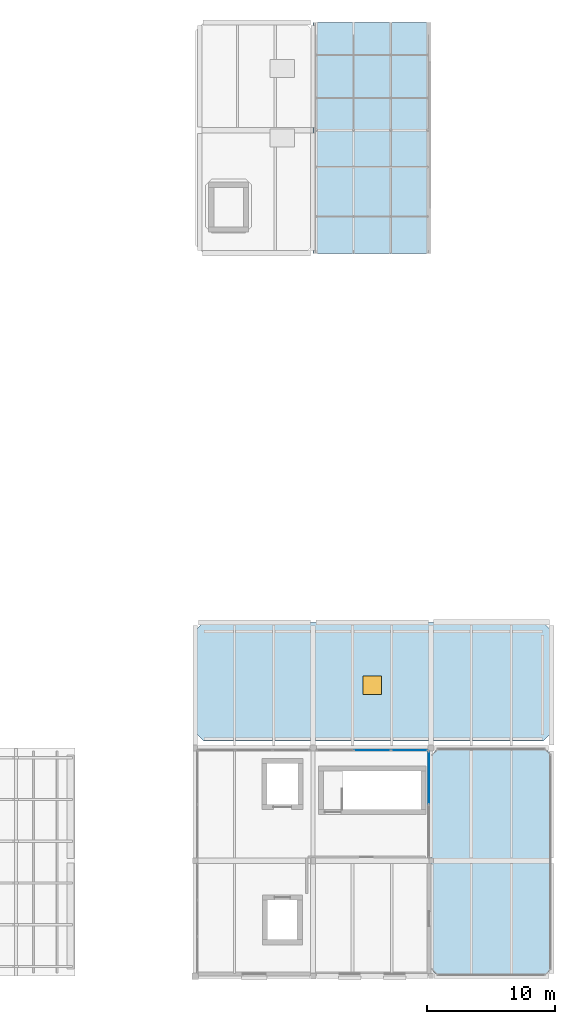
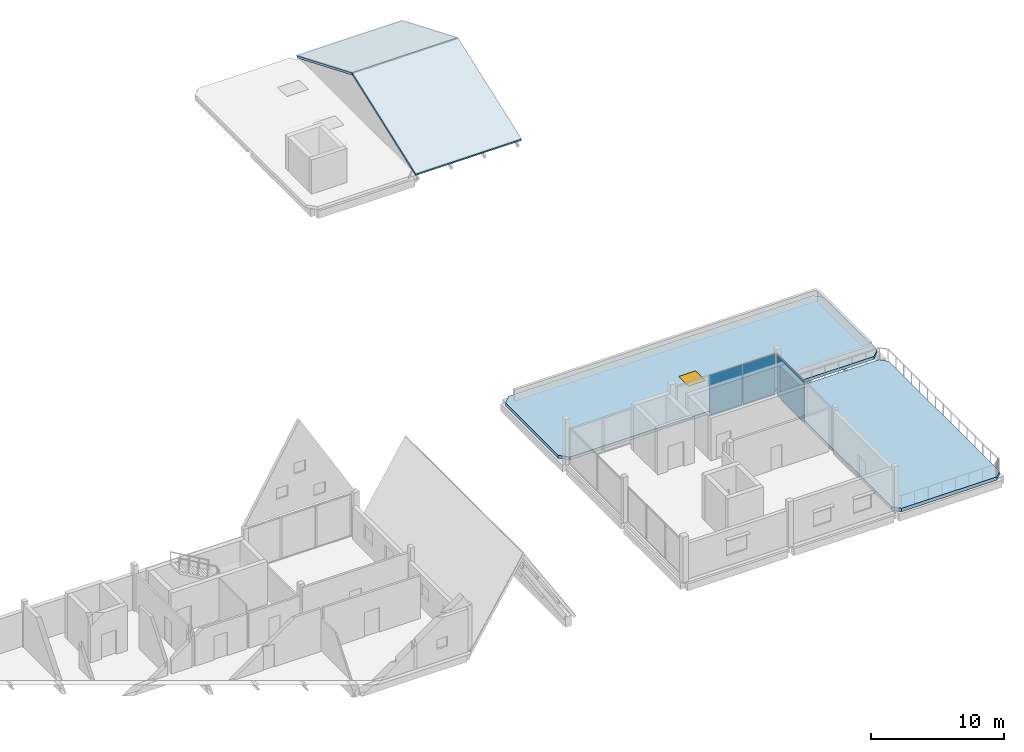
# One storey, part 12 of 23: 4 slabs, 3 plates, 1 window, 1 opening, 3 elements without a shape of their own.
"""IFC4 building model written with IfcOpenShell, lengths in metres."""

import ifcopenshell
import ifcopenshell.guid

model = None  # the IFC model being written
_history = None  # IfcOwnerHistory: only IFC2X3 demands one
_inside = {}  # id of a spatial element -> (the spatial element, [elements in it])
_under = {}  # id of a project, library or spatial element -> (it, [spatial elements below it])
_declared = {}  # id of a project -> (the project, [libraries it declares])
_typed = {}  # id of a type object -> (the type object, [elements of that type])
_made_of = {}  # id of a material, layer set ... -> (it, [elements and type objects made of it])


def new_model(schema):
    """Start an empty IFC model of exactly this schema.

    Asked for "IFC4X3", IfcOpenShell would pick the latest addendum, in which some entities
    have other attributes; the version numbers below select the first issue.
    IFC2X3 requires an IfcOwnerHistory on every rooted entity: one is made here for all.
    """
    global model, _history
    if schema == "IFC4X3":
        model = ifcopenshell.file(schema_version=(4, 3, 0, 0))
    else:
        model = ifcopenshell.file(schema=schema)
    _inside.clear()
    _under.clear()
    _declared.clear()
    _typed.clear()
    _made_of.clear()
    _history = None
    if model.schema == "IFC2X3":
        org = make("IfcOrganization", Name="unknown")
        user = make(
            "IfcPersonAndOrganization",
            ThePerson=make("IfcPerson", FamilyName="unknown"),
            TheOrganization=org,
        )
        app = make(
            "IfcApplication",
            ApplicationDeveloper=org,
            Version="unknown",
            ApplicationFullName="unknown",
            ApplicationIdentifier="unknown",
        )
        _history = make(
            "IfcOwnerHistory",
            OwningUser=user,
            OwningApplication=app,
            ChangeAction="ADDED",
            CreationDate=0,
        )
    return model


def make(cls, **values):
    """One entity of the class cls with the attributes given. An attribute that is None is left unset."""
    return model.create_entity(
        cls, **{name: value for name, value in values.items() if value is not None}
    )


def rooted(cls, **values):
    """An entity with a GlobalId (a new one), such as an element, a storey or a relation."""
    return make(cls, GlobalId=ifcopenshell.guid.new(), OwnerHistory=_history, **values)


def si_unit(unit_type, name, prefix=None):
    """IfcSIUnit, for example si_unit("LENGTHUNIT", "METRE", prefix="MILLI")."""
    return make("IfcSIUnit", UnitType=unit_type, Prefix=prefix, Name=name)


def assignment(units):
    """IfcUnitAssignment: the units of a project."""
    return None if units is None else make("IfcUnitAssignment", Units=units)


def point(xyz):
    """IfcCartesianPoint."""
    return None if xyz is None else make("IfcCartesianPoint", Coordinates=xyz)


def direction(xyz):
    """IfcDirection."""
    return None if xyz is None else make("IfcDirection", DirectionRatios=xyz)


def frame(location, z_axis=None, x_axis=None):
    """IfcAxis2Placement3D, a coordinate frame: its origin and axes. An axis left out is left unset."""
    return make(
        "IfcAxis2Placement3D",
        Location=point(location),
        Axis=direction(z_axis),
        RefDirection=direction(x_axis),
    )


def frame_2d(location, x_axis=None):
    """IfcAxis2Placement2D, a coordinate frame in the plane: its origin and x axis."""
    return make(
        "IfcAxis2Placement2D", Location=point(location), RefDirection=direction(x_axis)
    )


def origin():
    """The frame at (0, 0, 0) with its axes left unset."""
    return frame((0.0, 0.0, 0.0))


def origin_2d():
    """The frame at (0, 0) in the plane with its x axis left unset."""
    return frame_2d((0.0, 0.0))


def place(relative_to, where):
    """IfcLocalPlacement: puts the frame where relative to a parent placement (None: the world)."""
    return make(
        "IfcLocalPlacement", PlacementRelTo=relative_to, RelativePlacement=where
    )


def context(
    kind, dimensions, precision=None, world=None, true_north=None, identifier=None
):
    """IfcGeometricRepresentationContext, for example the 3D "Model" context."""
    return make(
        "IfcGeometricRepresentationContext",
        ContextIdentifier=identifier,
        ContextType=kind,
        CoordinateSpaceDimension=dimensions,
        Precision=precision,
        WorldCoordinateSystem=world,
        TrueNorth=true_north,
    )


def subcontext(parent, identifier, kind, view, scale=None):
    """IfcGeometricRepresentationSubContext, for example "Body" below "Model"."""
    return make(
        "IfcGeometricRepresentationSubContext",
        ContextIdentifier=identifier,
        ContextType=kind,
        ParentContext=parent,
        TargetScale=scale,
        TargetView=view,
    )


def project(units=None, contexts=None):
    """IfcProject with its units and contexts."""
    return rooted(
        "IfcProject",
        Name="project",
        RepresentationContexts=contexts,
        UnitsInContext=assignment(units),
    )


def spatial(cls, under=None, at=None, **own):
    """A site, building, storey or space (cls), placed at a placement, below another one or the project."""
    s = rooted(cls, ObjectPlacement=at, **own)
    if under is not None:
        _under.setdefault(under.id(), (under, []))[1].append(s)
    return s


def polyline(points):
    """IfcPolyline through the points."""
    return make("IfcPolyline", Points=[point(p) for p in points])


def profile(cls, at=None, kind="AREA", **sizes):
    """A parametric profile (cls). Its sizes go by their IFC names, for example OverallWidth=200.0."""
    return make(cls, ProfileType=kind, Position=at, **sizes)


def rectangle(**sizes):
    """IfcRectangleProfileDef."""
    return profile("IfcRectangleProfileDef", **sizes)


def outline(outer, holes=None, kind="AREA"):
    """IfcArbitraryClosedProfileDef: a profile drawn as a closed curve; with holes, ...WithVoids."""
    if holes is None:
        return make("IfcArbitraryClosedProfileDef", ProfileType=kind, OuterCurve=outer)
    return make(
        "IfcArbitraryProfileDefWithVoids",
        ProfileType=kind,
        OuterCurve=outer,
        InnerCurves=holes,
    )


def extrude(swept, where, along, depth):
    """IfcExtrudedAreaSolid: the profile swept, set in the frame where, extruded along a direction by depth."""
    return make(
        "IfcExtrudedAreaSolid",
        SweptArea=swept,
        Position=where,
        ExtrudedDirection=direction(along),
        Depth=depth,
    )


def shape(context_of_items, identifier, shape_type, items):
    """IfcShapeRepresentation: the items that make up one representation, for example the "Body"."""
    return make(
        "IfcShapeRepresentation",
        ContextOfItems=context_of_items,
        RepresentationIdentifier=identifier,
        RepresentationType=shape_type,
        Items=items,
    )


def material(Name=None, Category=None):
    """IfcMaterial."""
    return make("IfcMaterial", Name=Name, Category=Category)


def layer(
    of_material, thickness, ventilated=None, Name=None, Category=None, Priority=None
):
    """IfcMaterialLayer: one layer of a wall or slab, of a material (None: an air gap)."""
    return make(
        "IfcMaterialLayer",
        Material=of_material,
        LayerThickness=thickness,
        IsVentilated=ventilated,
        Name=Name,
        Category=Category,
        Priority=Priority,
    )


def layer_set(layers, Name=None):
    """IfcMaterialLayerSet."""
    return make("IfcMaterialLayerSet", MaterialLayers=layers, LayerSetName=Name)


def made_of(thing, what):
    """Note that an element or type object is made of a material, layer set ...; save() writes the relation."""
    if what is not None:
        _made_of.setdefault(what.id(), (what, []))[1].append(thing)
    return thing


def type_object(cls, material=None, **own):
    """A type object (cls), such as IfcWallType, which elements share."""
    return made_of(rooted(cls, **own), material)


def element(
    cls,
    number,
    at=None,
    inside=None,
    cuts=None,
    type_object=None,
    material=None,
    context=None,
    identifier="Body",
    shape_type=None,
    held_by="IfcProductDefinitionShape",
    body=None,
    shapes=None,
    **own,
):
    """One element of the class cls, such as IfcWall. Its Tag is "e" and its number.

    at: its placement. inside: the storey or other place that contains it. cuts: it is an
    opening in that element (IfcRelVoidsElement). A single representation is given by context,
    identifier, shape_type and body (its items); several are given by shapes. held_by: the class
    of the entity that holds the representations. save() writes the other relations.
    """
    e = rooted(cls, Tag="e%d" % number, ObjectPlacement=at, **own)
    if body is not None:
        shapes = [shape(context, identifier, shape_type, body)]
    if shapes is not None:
        e.Representation = make(held_by, Representations=shapes)
    if inside is not None:
        _inside.setdefault(inside.id(), (inside, []))[1].append(e)
    if cuts is not None:
        rooted(
            "IfcRelVoidsElement", RelatingBuildingElement=cuts, RelatedOpeningElement=e
        )
    if type_object is not None:
        _typed.setdefault(type_object.id(), (type_object, []))[1].append(e)
    return made_of(e, material)


def fill(opening, filler):
    """IfcRelFillsElement: the door or window that sits in an opening."""
    return rooted(
        "IfcRelFillsElement",
        RelatingOpeningElement=opening,
        RelatedBuildingElement=filler,
    )


def aggregate(whole, parts):
    """IfcRelAggregates: a whole, such as a stair, and the parts it consists of."""
    return rooted("IfcRelAggregates", RelatingObject=whole, RelatedObjects=parts)


def save(model, path):
    """Write the relations noted so far, then the file.

    IfcRelAggregates (storeys below a building ...), IfcRelContainedInSpatialStructure (elements
    in a storey), IfcRelDefinesByType, IfcRelAssociatesMaterial and IfcRelDeclares: one each for
    every whole, place, type object, material and project.
    """
    for whole, parts in _under.values():
        aggregate(whole, parts)
    for where, things in _inside.values():
        rooted(
            "IfcRelContainedInSpatialStructure",
            RelatedElements=things,
            RelatingStructure=where,
        )
    for kind, things in _typed.values():
        rooted("IfcRelDefinesByType", RelatedObjects=things, RelatingType=kind)
    for what, things in _made_of.values():
        rooted("IfcRelAssociatesMaterial", RelatedObjects=things, RelatingMaterial=what)
    for by, libraries in _declared.values():
        rooted("IfcRelDeclares", RelatingContext=by, RelatedDefinitions=libraries)
    model.write(path)


model = new_model("IFC4")

# Units and contexts
model_context = context("Model", 3, precision=1e-05, world=origin(), true_north=direction((0.0, 1.0)))
body_context = subcontext(model_context, "Body", "Model", "MODEL_VIEW")
ifc_project = project(units=[si_unit("LENGTHUNIT", "METRE"), si_unit("AREAUNIT", "SQUARE_METRE"), si_unit("VOLUMEUNIT", "CUBIC_METRE"), si_unit("PLANEANGLEUNIT", "RADIAN"), si_unit("MASSUNIT", "GRAM", prefix="KILO")], contexts=[model_context])

# Site, building, storey
site_placement = place(None, origin())
site = spatial("IfcSite", under=ifc_project, at=site_placement, CompositionType="ELEMENT")
building_placement = place(site_placement, origin())
building = spatial("IfcBuilding", under=site, at=building_placement, Name="Birchvale Park Specialist Clinic", CompositionType="ELEMENT")
storey_placement = place(building_placement, frame((0.0, 0.0, 18.0)))
storey = spatial("IfcBuildingStorey", under=building, at=storey_placement, Name="L04", CompositionType="ELEMENT", Elevation=18.0)

# Curtain wall, plate
ifc_material_1 = material(Name="Thermally broken anodised aluminium", Category="aluminium")
ifc_layer_1 = layer(ifc_material_1, 0.195068359375)
ifc_layer_set_1 = layer_set([ifc_layer_1], Name="Thermally broken anodised aluminium")
curtain_wall_type = type_object("IfcCurtainWallType", Name="CW-U2", PredefinedType="USERDEFINED", material=ifc_layer_set_1)
curtain_wall_1_placement = place(storey_placement, origin())
curtain_wall_1 = element("IfcCurtainWall", 1, at=curtain_wall_1_placement, inside=storey, type_object=curtain_wall_type, Name="V5 L04 glazed curtain wall 140", ObjectType="UNITISED", PredefinedType="USERDEFINED")
ifc_material_2 = material(Name="Solar-control low-E double glazing", Category="glass")
ifc_layer_2 = layer(ifc_material_2, 0.031982421875)
ifc_layer_set_2 = layer_set([ifc_layer_2], Name="Solar-control low-E double glazing")
plate_type = type_object("IfcPlateType", Name="CWP2", PredefinedType="CURTAIN_PANEL", material=ifc_layer_set_2)
plate_1_placement = place(storey_placement, frame((146.22509765625, 32.271240234375, 0.06494140625), z_axis=(0.0, 0.0, 1.0), x_axis=(0.0, 1.0, 0.0)))
plate_1 = element("IfcPlate", 2, at=plate_1_placement, type_object=plate_type, Name="CW panel 2.1", PredefinedType="CURTAIN_PANEL", context=body_context, shape_type="SweptSolid", body=[
    extrude(rectangle(XDim=4.077392578125, YDim=0.031982421875, at=origin_2d()), origin(), (0.0, 0.0, 1.0), 3.7900390625),
])
aggregate(curtain_wall_1, [plate_1])

# Curtain wall, plates
curtain_wall_2_placement = place(storey_placement, origin())
curtain_wall_2 = element("IfcCurtainWall", 3, at=curtain_wall_2_placement, inside=storey, type_object=curtain_wall_type, Name="V5 L04 glazed curtain wall 141", ObjectType="UNITISED", PredefinedType="USERDEFINED")
plate_2_placement = place(storey_placement, frame((144.70458984375, 34.425048828125, 0.06494140625), z_axis=(0.0, 0.0, 1.0), x_axis=(-1.0, 0.0, 0.0)))
plate_2 = element("IfcPlate", 4, at=plate_2_placement, type_object=plate_type, Name="CW panel 1.1", PredefinedType="CURTAIN_PANEL", context=body_context, shape_type="SweptSolid", body=[
    extrude(rectangle(XDim=2.810791015625, YDim=0.031982421875, at=origin_2d()), origin(), (0.0, 0.0, 1.0), 3.7900390625),
])
plate_3_placement = place(storey_placement, frame((141.8125, 34.425048828125, 0.06494140625), z_axis=(0.0, 0.0, 1.0), x_axis=(-1.0, 0.0, 0.0)))
plate_3 = element("IfcPlate", 5, at=plate_3_placement, type_object=plate_type, Name="CW panel 2.1", PredefinedType="CURTAIN_PANEL", context=body_context, shape_type="SweptSolid", body=[
    extrude(rectangle(XDim=2.84326171875, YDim=0.031982421875, at=origin_2d()), origin(), (0.0, 0.0, 1.0), 3.7900390625),
])
aggregate(curtain_wall_2, [plate_2, plate_3])

# Slab
ifc_material_3 = material(Name="Concrete C35/45", Category="concrete")
ifc_layer_3 = layer(ifc_material_3, 0.31005859375)
ifc_layer_set_3 = layer_set([ifc_layer_3], Name="Concrete C35/45")
slab_type_1 = type_object("IfcSlabType", Name="SLB-ES1", PredefinedType="FLOOR", material=ifc_layer_set_3)
slab_1_placement = place(storey_placement, frame((0.0, 0.0, -0.31005859375)))
element("IfcSlab", 6, at=slab_1_placement, inside=storey, type_object=slab_type_1, Name="V5 L04 outdoor terrace slab 1", PredefinedType="FLOOR", context=body_context, shape_type="SweptSolid", body=[
    extrude(outline(polyline([(146.949951171875, 16.800048828125), (155.25, 16.800048828125), (155.800048828125, 17.35009765625), (155.800048828125, 34.050048828125), (155.25, 34.60009765625), (146.949951171875, 34.60009765625), (146.39990234375, 34.050048828125), (146.39990234375, 17.35009765625), (146.949951171875, 16.800048828125)])), origin(), (0.0, 0.0, 1.0), 0.31005859375),
])

# Roof, slabs
ifc_material_4 = material(Name="Standing-seam titanium-zinc roofing")
roof_type = type_object("IfcRoofType", Name="ROOF-GBL1", PredefinedType="GABLE_ROOF", material=ifc_material_4)
roof_placement = place(storey_placement, origin())
roof = element("IfcRoof", 7, at=roof_placement, inside=storey, type_object=roof_type, Name="L04 pitched gable roof V6-L04-NL1", PredefinedType="GABLE_ROOF")
ifc_layer_4 = layer(ifc_material_3, 0.195068359375)
ifc_layer_set_4 = layer_set([ifc_layer_4], Name="Concrete C35/45")
slab_type_2 = type_object("IfcSlabType", Name="SLB-RS2", PredefinedType="ROOF", material=ifc_layer_set_4)
slab_2_placement = place(storey_placement, frame((137.199951171875, 73.199951171875, 0.0), z_axis=(0.0, -0.342521879363, 0.939509852081), x_axis=(1.0, 0.0, 0.0)))
slab_2 = element("IfcSlab", 8, at=slab_2_placement, type_object=slab_type_2, Name="L04 gable roof deck V6-L04-NL1 S", PredefinedType="ROOF", context=body_context, shape_type="SweptSolid", body=[
    extrude(outline(polyline([(0.0, 0.0), (9.199951171875, 0.0), (9.199951171875, 10.167005627419625), (0.0, 10.167005627419625), (0.0, 0.0)])), origin(), (0.0, 0.0, -1.0), 0.195068359375),
])
slab_3_placement = place(storey_placement, frame((137.199951171875, 82.847900390625, 3.47998046875), z_axis=(0.0, 0.384611552748, 0.923078519679), x_axis=(1.0, 0.0, 0.0)))
slab_3 = element("IfcSlab", 9, at=slab_3_placement, type_object=slab_type_2, Name="L04 gable roof deck V6-L04-NL1 N", PredefinedType="ROOF", context=body_context, shape_type="SweptSolid", body=[
    extrude(outline(polyline([(0.0, 0.0), (9.199951171875, 0.0), (9.199951171875, 9.048039363058729), (0.0, 9.048039363058729), (0.0, 0.0)])), origin(), (0.0, 0.0, -1.0), 0.195068359375),
])
aggregate(roof, [slab_2, slab_3])

# Slab, opening, window
ifc_layer_5 = layer(ifc_material_3, 0.27490234375)
ifc_layer_set_5 = layer_set([ifc_layer_5], Name="Concrete C35/45")
slab_type_3 = type_object("IfcSlabType", Name="SLB-RS4", PredefinedType="ROOF", material=ifc_layer_set_5)
slab_4_placement = place(storey_placement, frame((0.0, 0.0, -0.27490234375)))
slab_4 = element("IfcSlab", 10, at=slab_4_placement, inside=storey, type_object=slab_type_3, Name="V5 L04 flat roof slab SLB-V5-L04-NRF", PredefinedType="ROOF", context=body_context, shape_type="SweptSolid", body=[
    extrude(outline(polyline([(128.64990234375, 35.14990234375), (155.14990234375, 35.14990234375), (155.800048828125, 35.800048828125), (155.800048828125, 43.75), (155.14990234375, 44.39990234375), (128.64990234375, 44.39990234375), (128.0, 43.75), (128.0, 35.800048828125), (128.64990234375, 35.14990234375)])), origin(), (0.0, 0.0, 1.0), 0.27490234375),
])
opening_placement = place(slab_4_placement, frame((141.800048828125, 39.5, 0.0)))
opening = element("IfcOpeningElement", 11, at=opening_placement, cuts=slab_4, Name="Opening SK-08", PredefinedType="OPENING", context=body_context, shape_type="SweptSolid", body=[
    extrude(rectangle(XDim=1.449951171875, YDim=1.449951171875, at=origin_2d()), frame((0.0, 0.0, -0.010009765625)), (0.0, 0.0, 1.0), 0.294921875),
])
window_type = type_object("IfcWindowType", Name="WIN-SK-08", PartitioningType="SINGLE_PANEL", PredefinedType="SKYLIGHT", material=ifc_material_2)
window_placement = place(opening_placement, frame((0.0, 0.0, 0.224853515625)))
window = element("IfcWindow", 12, at=window_placement, inside=storey, type_object=window_type, Name="L04 roof daylight skylight 20", OverallHeight=1.449951171875, OverallWidth=1.449951171875, PartitioningType="SINGLE_PANEL", PredefinedType="SKYLIGHT", context=body_context, shape_type="SweptSolid", body=[
    extrude(rectangle(XDim=1.449951171875, YDim=1.449951171875, at=origin_2d()), origin(), (0.0, 0.0, 1.0), 0.050048828125),
])
fill(opening, window)

save(model, "model.ifc")
